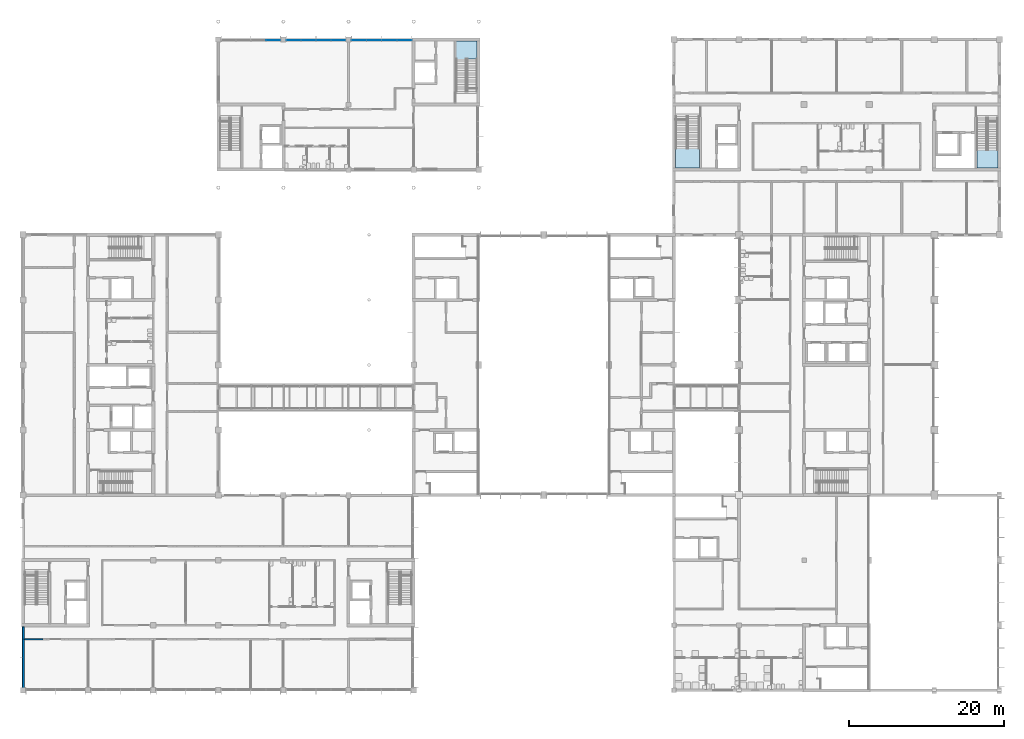
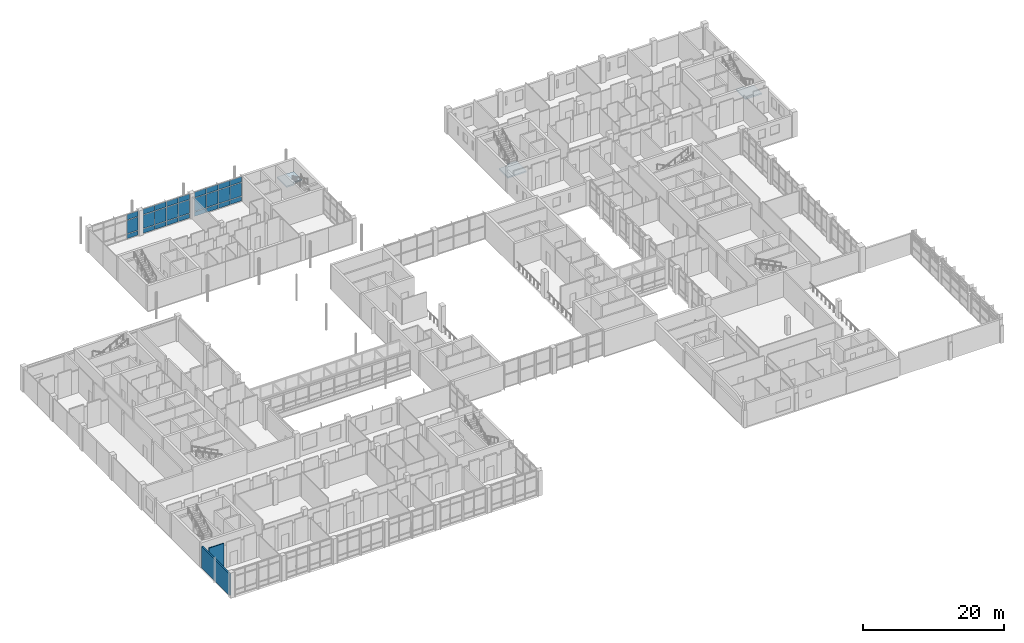
# One storey, part 30 of 70: 27 plates, 3 slabs, 2 walls, 6 elements without a shape of their own.
"""IFC4 building model written with IfcOpenShell, lengths in metres."""

import ifcopenshell
import ifcopenshell.guid

model = None  # the IFC model being written
_history = None  # IfcOwnerHistory: only IFC2X3 demands one
_inside = {}  # id of a spatial element -> (the spatial element, [elements in it])
_under = {}  # id of a project, library or spatial element -> (it, [spatial elements below it])
_declared = {}  # id of a project -> (the project, [libraries it declares])
_typed = {}  # id of a type object -> (the type object, [elements of that type])
_made_of = {}  # id of a material, layer set ... -> (it, [elements and type objects made of it])


def new_model(schema):
    """Start an empty IFC model of exactly this schema.

    Asked for "IFC4X3", IfcOpenShell would pick the latest addendum, in which some entities
    have other attributes; the version numbers below select the first issue.
    IFC2X3 requires an IfcOwnerHistory on every rooted entity: one is made here for all.
    """
    global model, _history
    if schema == "IFC4X3":
        model = ifcopenshell.file(schema_version=(4, 3, 0, 0))
    else:
        model = ifcopenshell.file(schema=schema)
    _inside.clear()
    _under.clear()
    _declared.clear()
    _typed.clear()
    _made_of.clear()
    _history = None
    if model.schema == "IFC2X3":
        org = make("IfcOrganization", Name="unknown")
        user = make(
            "IfcPersonAndOrganization",
            ThePerson=make("IfcPerson", FamilyName="unknown"),
            TheOrganization=org,
        )
        app = make(
            "IfcApplication",
            ApplicationDeveloper=org,
            Version="unknown",
            ApplicationFullName="unknown",
            ApplicationIdentifier="unknown",
        )
        _history = make(
            "IfcOwnerHistory",
            OwningUser=user,
            OwningApplication=app,
            ChangeAction="ADDED",
            CreationDate=0,
        )
    return model


def make(cls, **values):
    """One entity of the class cls with the attributes given. An attribute that is None is left unset."""
    return model.create_entity(
        cls, **{name: value for name, value in values.items() if value is not None}
    )


def rooted(cls, **values):
    """An entity with a GlobalId (a new one), such as an element, a storey or a relation."""
    return make(cls, GlobalId=ifcopenshell.guid.new(), OwnerHistory=_history, **values)


def si_unit(unit_type, name, prefix=None):
    """IfcSIUnit, for example si_unit("LENGTHUNIT", "METRE", prefix="MILLI")."""
    return make("IfcSIUnit", UnitType=unit_type, Prefix=prefix, Name=name)


def assignment(units):
    """IfcUnitAssignment: the units of a project."""
    return None if units is None else make("IfcUnitAssignment", Units=units)


def point(xyz):
    """IfcCartesianPoint."""
    return None if xyz is None else make("IfcCartesianPoint", Coordinates=xyz)


def direction(xyz):
    """IfcDirection."""
    return None if xyz is None else make("IfcDirection", DirectionRatios=xyz)


def frame(location, z_axis=None, x_axis=None):
    """IfcAxis2Placement3D, a coordinate frame: its origin and axes. An axis left out is left unset."""
    return make(
        "IfcAxis2Placement3D",
        Location=point(location),
        Axis=direction(z_axis),
        RefDirection=direction(x_axis),
    )


def frame_2d(location, x_axis=None):
    """IfcAxis2Placement2D, a coordinate frame in the plane: its origin and x axis."""
    return make(
        "IfcAxis2Placement2D", Location=point(location), RefDirection=direction(x_axis)
    )


def origin():
    """The frame at (0, 0, 0) with its axes left unset."""
    return frame((0.0, 0.0, 0.0))


def origin_2d():
    """The frame at (0, 0) in the plane with its x axis left unset."""
    return frame_2d((0.0, 0.0))


def place(relative_to, where):
    """IfcLocalPlacement: puts the frame where relative to a parent placement (None: the world)."""
    return make(
        "IfcLocalPlacement", PlacementRelTo=relative_to, RelativePlacement=where
    )


def context(
    kind, dimensions, precision=None, world=None, true_north=None, identifier=None
):
    """IfcGeometricRepresentationContext, for example the 3D "Model" context."""
    return make(
        "IfcGeometricRepresentationContext",
        ContextIdentifier=identifier,
        ContextType=kind,
        CoordinateSpaceDimension=dimensions,
        Precision=precision,
        WorldCoordinateSystem=world,
        TrueNorth=true_north,
    )


def subcontext(parent, identifier, kind, view, scale=None):
    """IfcGeometricRepresentationSubContext, for example "Body" below "Model"."""
    return make(
        "IfcGeometricRepresentationSubContext",
        ContextIdentifier=identifier,
        ContextType=kind,
        ParentContext=parent,
        TargetScale=scale,
        TargetView=view,
    )


def project(units=None, contexts=None):
    """IfcProject with its units and contexts."""
    return rooted(
        "IfcProject",
        Name="project",
        RepresentationContexts=contexts,
        UnitsInContext=assignment(units),
    )


def spatial(cls, under=None, at=None, **own):
    """A site, building, storey or space (cls), placed at a placement, below another one or the project."""
    s = rooted(cls, ObjectPlacement=at, **own)
    if under is not None:
        _under.setdefault(under.id(), (under, []))[1].append(s)
    return s


def polyline(points):
    """IfcPolyline through the points."""
    return make("IfcPolyline", Points=[point(p) for p in points])


def profile(cls, at=None, kind="AREA", **sizes):
    """A parametric profile (cls). Its sizes go by their IFC names, for example OverallWidth=200.0."""
    return make(cls, ProfileType=kind, Position=at, **sizes)


def rectangle(**sizes):
    """IfcRectangleProfileDef."""
    return profile("IfcRectangleProfileDef", **sizes)


def outline(outer, holes=None, kind="AREA"):
    """IfcArbitraryClosedProfileDef: a profile drawn as a closed curve; with holes, ...WithVoids."""
    if holes is None:
        return make("IfcArbitraryClosedProfileDef", ProfileType=kind, OuterCurve=outer)
    return make(
        "IfcArbitraryProfileDefWithVoids",
        ProfileType=kind,
        OuterCurve=outer,
        InnerCurves=holes,
    )


def extrude(swept, where, along, depth):
    """IfcExtrudedAreaSolid: the profile swept, set in the frame where, extruded along a direction by depth."""
    return make(
        "IfcExtrudedAreaSolid",
        SweptArea=swept,
        Position=where,
        ExtrudedDirection=direction(along),
        Depth=depth,
    )


def shape(context_of_items, identifier, shape_type, items):
    """IfcShapeRepresentation: the items that make up one representation, for example the "Body"."""
    return make(
        "IfcShapeRepresentation",
        ContextOfItems=context_of_items,
        RepresentationIdentifier=identifier,
        RepresentationType=shape_type,
        Items=items,
    )


def material(Name=None, Category=None):
    """IfcMaterial."""
    return make("IfcMaterial", Name=Name, Category=Category)


def layer(
    of_material, thickness, ventilated=None, Name=None, Category=None, Priority=None
):
    """IfcMaterialLayer: one layer of a wall or slab, of a material (None: an air gap)."""
    return make(
        "IfcMaterialLayer",
        Material=of_material,
        LayerThickness=thickness,
        IsVentilated=ventilated,
        Name=Name,
        Category=Category,
        Priority=Priority,
    )


def layer_set(layers, Name=None):
    """IfcMaterialLayerSet."""
    return make("IfcMaterialLayerSet", MaterialLayers=layers, LayerSetName=Name)


def made_of(thing, what):
    """Note that an element or type object is made of a material, layer set ...; save() writes the relation."""
    if what is not None:
        _made_of.setdefault(what.id(), (what, []))[1].append(thing)
    return thing


def type_object(cls, material=None, **own):
    """A type object (cls), such as IfcWallType, which elements share."""
    return made_of(rooted(cls, **own), material)


def element(
    cls,
    number,
    at=None,
    inside=None,
    cuts=None,
    type_object=None,
    material=None,
    context=None,
    identifier="Body",
    shape_type=None,
    held_by="IfcProductDefinitionShape",
    body=None,
    shapes=None,
    **own,
):
    """One element of the class cls, such as IfcWall. Its Tag is "e" and its number.

    at: its placement. inside: the storey or other place that contains it. cuts: it is an
    opening in that element (IfcRelVoidsElement). A single representation is given by context,
    identifier, shape_type and body (its items); several are given by shapes. held_by: the class
    of the entity that holds the representations. save() writes the other relations.
    """
    e = rooted(cls, Tag="e%d" % number, ObjectPlacement=at, **own)
    if body is not None:
        shapes = [shape(context, identifier, shape_type, body)]
    if shapes is not None:
        e.Representation = make(held_by, Representations=shapes)
    if inside is not None:
        _inside.setdefault(inside.id(), (inside, []))[1].append(e)
    if cuts is not None:
        rooted(
            "IfcRelVoidsElement", RelatingBuildingElement=cuts, RelatedOpeningElement=e
        )
    if type_object is not None:
        _typed.setdefault(type_object.id(), (type_object, []))[1].append(e)
    return made_of(e, material)


def aggregate(whole, parts):
    """IfcRelAggregates: a whole, such as a stair, and the parts it consists of."""
    return rooted("IfcRelAggregates", RelatingObject=whole, RelatedObjects=parts)


def save(model, path):
    """Write the relations noted so far, then the file.

    IfcRelAggregates (storeys below a building ...), IfcRelContainedInSpatialStructure (elements
    in a storey), IfcRelDefinesByType, IfcRelAssociatesMaterial and IfcRelDeclares: one each for
    every whole, place, type object, material and project.
    """
    for whole, parts in _under.values():
        aggregate(whole, parts)
    for where, things in _inside.values():
        rooted(
            "IfcRelContainedInSpatialStructure",
            RelatedElements=things,
            RelatingStructure=where,
        )
    for kind, things in _typed.values():
        rooted("IfcRelDefinesByType", RelatedObjects=things, RelatingType=kind)
    for what, things in _made_of.values():
        rooted("IfcRelAssociatesMaterial", RelatedObjects=things, RelatingMaterial=what)
    for by, libraries in _declared.values():
        rooted("IfcRelDeclares", RelatingContext=by, RelatedDefinitions=libraries)
    model.write(path)


model = new_model("IFC4")

# Units and contexts
model_context = context("Model", 3, precision=1e-05, world=origin(), true_north=direction((0.0, 1.0)))
body_context = subcontext(model_context, "Body", "Model", "MODEL_VIEW")
ifc_project = project(units=[si_unit("LENGTHUNIT", "METRE"), si_unit("AREAUNIT", "SQUARE_METRE"), si_unit("VOLUMEUNIT", "CUBIC_METRE"), si_unit("PLANEANGLEUNIT", "RADIAN"), si_unit("MASSUNIT", "GRAM", prefix="KILO")], contexts=[model_context])

# Site, building, storey
site_placement = place(None, origin())
site = spatial("IfcSite", under=ifc_project, at=site_placement, CompositionType="ELEMENT")
building_placement = place(site_placement, origin())
building = spatial("IfcBuilding", under=site, at=building_placement, Name="Hlaing Beacon Police Headquarters", CompositionType="ELEMENT")
storey_placement = place(building_placement, frame((0.0, 0.0, 5.39990234375)))
storey = spatial("IfcBuildingStorey", under=building, at=storey_placement, Name="L01", CompositionType="ELEMENT", Elevation=5.39990234375)

# Curtain wall, plates
ifc_material_1 = material(Name="Aluminium frame with solar control glazing", Category="aluminium")
curtain_wall_type_1 = type_object("IfcCurtainWallType", Name="Unitised curtain wall 7.85 x 4.37", PredefinedType="NOTDEFINED", material=ifc_material_1)
curtain_wall_1_placement = place(storey_placement, origin())
curtain_wall_1 = element("IfcCurtainWall", 1, at=curtain_wall_1_placement, inside=storey, type_object=curtain_wall_type_1, Name="ENV-CW-L01-N028", PredefinedType="NOTDEFINED")
ifc_material_2 = material(Name="Solar control glazing", Category="glass")
ifc_layer_1 = layer(ifc_material_2, 0.02392578125)
ifc_layer_set_1 = layer_set([ifc_layer_1], Name="Solar control glazing")
plate_type_1 = type_object("IfcPlateType", Name="Clear glazing panel 24", PredefinedType="CURTAIN_PANEL", material=ifc_layer_set_1)
plate_1_placement = place(storey_placement, frame((57.603759765625, 92.300048828125, 3.35009765625), z_axis=(0.0, 0.0, 1.0), x_axis=(-1.0, 0.0, 0.0)))
plate_1 = element("IfcPlate", 2, at=plate_1_placement, type_object=plate_type_1, Name="CW-L01-N028 panel 1.3", PredefinedType="CURTAIN_PANEL", context=body_context, shape_type="SweptSolid", body=[
    extrude(rectangle(XDim=1.87255859375, YDim=0.02392578125, at=origin_2d()), origin(), (0.0, 0.0, 1.0), 0.919921875),
])
plate_2_placement = place(storey_placement, frame((55.65625, 92.300048828125, 3.35009765625), z_axis=(0.0, 0.0, 1.0), x_axis=(-1.0, 0.0, 0.0)))
plate_2 = element("IfcPlate", 3, at=plate_2_placement, type_object=plate_type_1, Name="CW-L01-N028 panel 2.3", PredefinedType="CURTAIN_PANEL", context=body_context, shape_type="SweptSolid", body=[
    extrude(rectangle(XDim=1.902587890625, YDim=0.02392578125, at=origin_2d()), origin(), (0.0, 0.0, 1.0), 0.919921875),
])
plate_3_placement = place(storey_placement, frame((53.69384765625, 92.300048828125, 3.35009765625), z_axis=(0.0, 0.0, 1.0), x_axis=(-1.0, 0.0, 0.0)))
plate_3 = element("IfcPlate", 4, at=plate_3_placement, type_object=plate_type_1, Name="CW-L01-N028 panel 3.3", PredefinedType="CURTAIN_PANEL", context=body_context, shape_type="SweptSolid", body=[
    extrude(rectangle(XDim=1.902587890625, YDim=0.02392578125, at=origin_2d()), origin(), (0.0, 0.0, 1.0), 0.919921875),
])
plate_4_placement = place(storey_placement, frame((51.746337890625, 92.300048828125, 3.35009765625), z_axis=(0.0, 0.0, 1.0), x_axis=(-1.0, 0.0, 0.0)))
plate_4 = element("IfcPlate", 5, at=plate_4_placement, type_object=plate_type_1, Name="CW-L01-N028 panel 4.3", PredefinedType="CURTAIN_PANEL", context=body_context, shape_type="SweptSolid", body=[
    extrude(rectangle(XDim=1.87255859375, YDim=0.02392578125, at=origin_2d()), origin(), (0.0, 0.0, 1.0), 0.919921875),
])

ifc_material_3 = material(Name="Aluminium frame with solar control glazing", Category="aluminium")
curtain_wall_type_2 = type_object("IfcCurtainWallType", Name="Unitised curtain wall 7.70 x 4.37", PredefinedType="NOTDEFINED", material=ifc_material_3)
curtain_wall_2_placement = place(storey_placement, origin())
curtain_wall_2 = element("IfcCurtainWall", 6, at=curtain_wall_2_placement, inside=storey, type_object=curtain_wall_type_2, Name="ENV-CW-L01-N029", PredefinedType="NOTDEFINED")
plate_5_placement = place(storey_placement, frame((49.072509765625, 92.300048828125, 3.35009765625), z_axis=(0.0, 0.0, 1.0), x_axis=(-1.0, 0.0, 0.0)))
plate_5 = element("IfcPlate", 7, at=plate_5_placement, type_object=plate_type_1, Name="CW-L01-N029 panel 1.3", PredefinedType="CURTAIN_PANEL", context=body_context, shape_type="SweptSolid", body=[
    extrude(rectangle(XDim=1.8349609375, YDim=0.02392578125, at=origin_2d()), origin(), (0.0, 0.0, 1.0), 0.919921875),
])
plate_6_placement = place(storey_placement, frame((47.16259765625, 92.300048828125, 3.35009765625), z_axis=(0.0, 0.0, 1.0), x_axis=(-1.0, 0.0, 0.0)))
plate_6 = element("IfcPlate", 8, at=plate_6_placement, type_object=plate_type_1, Name="CW-L01-N029 panel 2.3", PredefinedType="CURTAIN_PANEL", context=body_context, shape_type="SweptSolid", body=[
    extrude(rectangle(XDim=1.864990234375, YDim=0.02392578125, at=origin_2d()), origin(), (0.0, 0.0, 1.0), 0.919921875),
])
plate_7_placement = place(storey_placement, frame((45.237548828125, 92.300048828125, 3.35009765625), z_axis=(0.0, 0.0, 1.0), x_axis=(-1.0, 0.0, 0.0)))
plate_7 = element("IfcPlate", 9, at=plate_7_placement, type_object=plate_type_1, Name="CW-L01-N029 panel 3.3", PredefinedType="CURTAIN_PANEL", context=body_context, shape_type="SweptSolid", body=[
    extrude(rectangle(XDim=1.864990234375, YDim=0.02392578125, at=origin_2d()), origin(), (0.0, 0.0, 1.0), 0.919921875),
])
plate_8_placement = place(storey_placement, frame((43.327392578125, 92.300048828125, 3.35009765625), z_axis=(0.0, 0.0, 1.0), x_axis=(-1.0, 0.0, 0.0)))
plate_8 = element("IfcPlate", 10, at=plate_8_placement, type_object=plate_type_1, Name="CW-L01-N029 panel 4.3", PredefinedType="CURTAIN_PANEL", context=body_context, shape_type="SweptSolid", body=[
    extrude(rectangle(XDim=1.8349609375, YDim=0.02392578125, at=origin_2d()), origin(), (0.0, 0.0, 1.0), 0.919921875),
])

# Curtain wall, plate
curtain_wall_3_placement = place(storey_placement, origin())
curtain_wall_3 = element("IfcCurtainWall", 11, at=curtain_wall_3_placement, inside=storey, type_object=curtain_wall_type_2, Name="ENV-CW-L01-N030", PredefinedType="NOTDEFINED")
plate_9_placement = place(storey_placement, frame((40.672607421875, 92.300048828125, 3.35009765625), z_axis=(0.0, 0.0, 1.0), x_axis=(-1.0, 0.0, 0.0)))
plate_9 = element("IfcPlate", 12, at=plate_9_placement, type_object=plate_type_1, Name="CW-L01-N030 panel 1.3", PredefinedType="CURTAIN_PANEL", context=body_context, shape_type="SweptSolid", body=[
    extrude(rectangle(XDim=1.8349609375, YDim=0.02392578125, at=origin_2d()), origin(), (0.0, 0.0, 1.0), 0.919921875),
])

# Plate
ifc_material_4 = material(Name="Solar control glazing", Category="glass")
ifc_layer_2 = layer(ifc_material_4, 0.0439453125)
ifc_layer_set_2 = layer_set([ifc_layer_2], Name="Solar control glazing")
plate_type_2 = type_object("IfcPlateType", Name="Clear glazing panel 44", PredefinedType="CURTAIN_PANEL", material=ifc_layer_set_2)
plate_10_placement = place(storey_placement, frame((57.603759765625, 92.300048828125, 0.9501953125), z_axis=(0.0, 0.0, 1.0), x_axis=(-1.0, 0.0, 0.0)))
plate_10 = element("IfcPlate", 13, at=plate_10_placement, type_object=plate_type_2, Name="CW-L01-N028 panel 1.2", PredefinedType="CURTAIN_PANEL", context=body_context, shape_type="SweptSolid", body=[
    extrude(rectangle(XDim=1.87255859375, YDim=0.0439453125, at=origin_2d()), origin(), (0.0, 0.0, 1.0), 2.300048828125),
])

plate_11_placement = place(storey_placement, frame((55.65625, 92.300048828125, 0.9501953125), z_axis=(0.0, 0.0, 1.0), x_axis=(-1.0, 0.0, 0.0)))
plate_11 = element("IfcPlate", 14, at=plate_11_placement, type_object=plate_type_2, Name="CW-L01-N028 panel 2.2", PredefinedType="CURTAIN_PANEL", context=body_context, shape_type="SweptSolid", body=[
    extrude(rectangle(XDim=1.902587890625, YDim=0.0439453125, at=origin_2d()), origin(), (0.0, 0.0, 1.0), 2.300048828125),
])

plate_12_placement = place(storey_placement, frame((53.69384765625, 92.300048828125, 0.9501953125), z_axis=(0.0, 0.0, 1.0), x_axis=(-1.0, 0.0, 0.0)))
plate_12 = element("IfcPlate", 15, at=plate_12_placement, type_object=plate_type_2, Name="CW-L01-N028 panel 3.2", PredefinedType="CURTAIN_PANEL", context=body_context, shape_type="SweptSolid", body=[
    extrude(rectangle(XDim=1.902587890625, YDim=0.0439453125, at=origin_2d()), origin(), (0.0, 0.0, 1.0), 2.300048828125),
])

plate_13_placement = place(storey_placement, frame((51.746337890625, 92.300048828125, 0.9501953125), z_axis=(0.0, 0.0, 1.0), x_axis=(-1.0, 0.0, 0.0)))
plate_13 = element("IfcPlate", 16, at=plate_13_placement, type_object=plate_type_2, Name="CW-L01-N028 panel 4.2", PredefinedType="CURTAIN_PANEL", context=body_context, shape_type="SweptSolid", body=[
    extrude(rectangle(XDim=1.87255859375, YDim=0.0439453125, at=origin_2d()), origin(), (0.0, 0.0, 1.0), 2.300048828125),
])

plate_14_placement = place(storey_placement, frame((49.072509765625, 92.300048828125, 0.9501953125), z_axis=(0.0, 0.0, 1.0), x_axis=(-1.0, 0.0, 0.0)))
plate_14 = element("IfcPlate", 17, at=plate_14_placement, type_object=plate_type_2, Name="CW-L01-N029 panel 1.2", PredefinedType="CURTAIN_PANEL", context=body_context, shape_type="SweptSolid", body=[
    extrude(rectangle(XDim=1.8349609375, YDim=0.0439453125, at=origin_2d()), origin(), (0.0, 0.0, 1.0), 2.300048828125),
])

plate_15_placement = place(storey_placement, frame((47.16259765625, 92.300048828125, 0.9501953125), z_axis=(0.0, 0.0, 1.0), x_axis=(-1.0, 0.0, 0.0)))
plate_15 = element("IfcPlate", 18, at=plate_15_placement, type_object=plate_type_2, Name="CW-L01-N029 panel 2.2", PredefinedType="CURTAIN_PANEL", context=body_context, shape_type="SweptSolid", body=[
    extrude(rectangle(XDim=1.864990234375, YDim=0.0439453125, at=origin_2d()), origin(), (0.0, 0.0, 1.0), 2.300048828125),
])

plate_16_placement = place(storey_placement, frame((45.237548828125, 92.300048828125, 0.9501953125), z_axis=(0.0, 0.0, 1.0), x_axis=(-1.0, 0.0, 0.0)))
plate_16 = element("IfcPlate", 19, at=plate_16_placement, type_object=plate_type_2, Name="CW-L01-N029 panel 3.2", PredefinedType="CURTAIN_PANEL", context=body_context, shape_type="SweptSolid", body=[
    extrude(rectangle(XDim=1.864990234375, YDim=0.0439453125, at=origin_2d()), origin(), (0.0, 0.0, 1.0), 2.300048828125),
])

plate_17_placement = place(storey_placement, frame((43.327392578125, 92.300048828125, 0.9501953125), z_axis=(0.0, 0.0, 1.0), x_axis=(-1.0, 0.0, 0.0)))
plate_17 = element("IfcPlate", 20, at=plate_17_placement, type_object=plate_type_2, Name="CW-L01-N029 panel 4.2", PredefinedType="CURTAIN_PANEL", context=body_context, shape_type="SweptSolid", body=[
    extrude(rectangle(XDim=1.8349609375, YDim=0.0439453125, at=origin_2d()), origin(), (0.0, 0.0, 1.0), 2.300048828125),
])

plate_18_placement = place(storey_placement, frame((40.672607421875, 92.300048828125, 0.9501953125), z_axis=(0.0, 0.0, 1.0), x_axis=(-1.0, 0.0, 0.0)))
plate_18 = element("IfcPlate", 21, at=plate_18_placement, type_object=plate_type_2, Name="CW-L01-N030 panel 1.2", PredefinedType="CURTAIN_PANEL", context=body_context, shape_type="SweptSolid", body=[
    extrude(rectangle(XDim=1.8349609375, YDim=0.0439453125, at=origin_2d()), origin(), (0.0, 0.0, 1.0), 2.300048828125),
])

ifc_material_5 = material(Name="Insulated aluminium spandrel", Category="aluminium")
ifc_layer_3 = layer(ifc_material_5, 0.0400390625)
ifc_layer_set_3 = layer_set([ifc_layer_3], Name="Insulated aluminium spandrel")
plate_type_3 = type_object("IfcPlateType", Name="Insulated spandrel panel 40", PredefinedType="CURTAIN_PANEL", material=ifc_layer_set_3)
plate_19_placement = place(storey_placement, frame((57.603759765625, 92.300048828125, 0.10009765625), z_axis=(0.0, 0.0, 1.0), x_axis=(-1.0, 0.0, 0.0)))
plate_19 = element("IfcPlate", 22, at=plate_19_placement, type_object=plate_type_3, Name="CW-L01-N028 panel 1.1", PredefinedType="CURTAIN_PANEL", context=body_context, shape_type="SweptSolid", body=[
    extrude(rectangle(XDim=1.87255859375, YDim=0.0400390625, at=origin_2d()), origin(), (0.0, 0.0, 1.0), 0.75),
])

plate_20_placement = place(storey_placement, frame((55.65625, 92.300048828125, 0.10009765625), z_axis=(0.0, 0.0, 1.0), x_axis=(-1.0, 0.0, 0.0)))
plate_20 = element("IfcPlate", 23, at=plate_20_placement, type_object=plate_type_3, Name="CW-L01-N028 panel 2.1", PredefinedType="CURTAIN_PANEL", context=body_context, shape_type="SweptSolid", body=[
    extrude(rectangle(XDim=1.902587890625, YDim=0.0400390625, at=origin_2d()), origin(), (0.0, 0.0, 1.0), 0.75),
])

plate_21_placement = place(storey_placement, frame((53.69384765625, 92.300048828125, 0.10009765625), z_axis=(0.0, 0.0, 1.0), x_axis=(-1.0, 0.0, 0.0)))
plate_21 = element("IfcPlate", 24, at=plate_21_placement, type_object=plate_type_3, Name="CW-L01-N028 panel 3.1", PredefinedType="CURTAIN_PANEL", context=body_context, shape_type="SweptSolid", body=[
    extrude(rectangle(XDim=1.902587890625, YDim=0.0400390625, at=origin_2d()), origin(), (0.0, 0.0, 1.0), 0.75),
])

plate_22_placement = place(storey_placement, frame((51.746337890625, 92.300048828125, 0.10009765625), z_axis=(0.0, 0.0, 1.0), x_axis=(-1.0, 0.0, 0.0)))
plate_22 = element("IfcPlate", 25, at=plate_22_placement, type_object=plate_type_3, Name="CW-L01-N028 panel 4.1", PredefinedType="CURTAIN_PANEL", context=body_context, shape_type="SweptSolid", body=[
    extrude(rectangle(XDim=1.87255859375, YDim=0.0400390625, at=origin_2d()), origin(), (0.0, 0.0, 1.0), 0.75),
])

aggregate(curtain_wall_1, [plate_19, plate_10, plate_1, plate_20, plate_11, plate_2, plate_21, plate_12, plate_3, plate_22, plate_13, plate_4])

plate_23_placement = place(storey_placement, frame((49.072509765625, 92.300048828125, 0.10009765625), z_axis=(0.0, 0.0, 1.0), x_axis=(-1.0, 0.0, 0.0)))
plate_23 = element("IfcPlate", 26, at=plate_23_placement, type_object=plate_type_3, Name="CW-L01-N029 panel 1.1", PredefinedType="CURTAIN_PANEL", context=body_context, shape_type="SweptSolid", body=[
    extrude(rectangle(XDim=1.8349609375, YDim=0.0400390625, at=origin_2d()), origin(), (0.0, 0.0, 1.0), 0.75),
])

plate_24_placement = place(storey_placement, frame((47.16259765625, 92.300048828125, 0.10009765625), z_axis=(0.0, 0.0, 1.0), x_axis=(-1.0, 0.0, 0.0)))
plate_24 = element("IfcPlate", 27, at=plate_24_placement, type_object=plate_type_3, Name="CW-L01-N029 panel 2.1", PredefinedType="CURTAIN_PANEL", context=body_context, shape_type="SweptSolid", body=[
    extrude(rectangle(XDim=1.864990234375, YDim=0.0400390625, at=origin_2d()), origin(), (0.0, 0.0, 1.0), 0.75),
])

plate_25_placement = place(storey_placement, frame((45.237548828125, 92.300048828125, 0.10009765625), z_axis=(0.0, 0.0, 1.0), x_axis=(-1.0, 0.0, 0.0)))
plate_25 = element("IfcPlate", 28, at=plate_25_placement, type_object=plate_type_3, Name="CW-L01-N029 panel 3.1", PredefinedType="CURTAIN_PANEL", context=body_context, shape_type="SweptSolid", body=[
    extrude(rectangle(XDim=1.864990234375, YDim=0.0400390625, at=origin_2d()), origin(), (0.0, 0.0, 1.0), 0.75),
])

plate_26_placement = place(storey_placement, frame((43.327392578125, 92.300048828125, 0.10009765625), z_axis=(0.0, 0.0, 1.0), x_axis=(-1.0, 0.0, 0.0)))
plate_26 = element("IfcPlate", 29, at=plate_26_placement, type_object=plate_type_3, Name="CW-L01-N029 panel 4.1", PredefinedType="CURTAIN_PANEL", context=body_context, shape_type="SweptSolid", body=[
    extrude(rectangle(XDim=1.8349609375, YDim=0.0400390625, at=origin_2d()), origin(), (0.0, 0.0, 1.0), 0.75),
])

aggregate(curtain_wall_2, [plate_23, plate_14, plate_5, plate_24, plate_15, plate_6, plate_25, plate_16, plate_7, plate_26, plate_17, plate_8])

plate_27_placement = place(storey_placement, frame((40.672607421875, 92.300048828125, 0.10009765625), z_axis=(0.0, 0.0, 1.0), x_axis=(-1.0, 0.0, 0.0)))
plate_27 = element("IfcPlate", 30, at=plate_27_placement, type_object=plate_type_3, Name="CW-L01-N030 panel 1.1", PredefinedType="CURTAIN_PANEL", context=body_context, shape_type="SweptSolid", body=[
    extrude(rectangle(XDim=1.8349609375, YDim=0.0400390625, at=origin_2d()), origin(), (0.0, 0.0, 1.0), 0.75),
])

aggregate(curtain_wall_3, [plate_27, plate_18, plate_9])

# Stair, slab
ifc_material_6 = material(Name="Concrete C40/50", Category="concrete")
stair_type_1 = type_object("IfcStairType", Name="Half-turn stair 1300 wide, 4500 rise", PredefinedType="HALF_TURN_STAIR", material=ifc_material_6)
stair_1_placement = place(storey_placement, origin())
stair_1 = element("IfcStair", 31, at=stair_1_placement, inside=storey, type_object=stair_type_1, Name="Stair ST-F", PredefinedType="HALF_TURN_STAIR")
ifc_material_7 = material(Name="Concrete C40/50", Category="concrete")
ifc_layer_4 = layer(ifc_material_7, 0.219970703125)
ifc_layer_set_4 = layer_set([ifc_layer_4], Name="Concrete C40/50")
slab_type = type_object("IfcSlabType", Name="Stair landing 220", PredefinedType="LANDING", material=ifc_layer_set_4)
slab_1_placement = place(storey_placement, frame((0.0, 0.0, 2.030029296875)))
slab_1 = element("IfcSlab", 32, at=slab_1_placement, type_object=slab_type, Name="ST-F landing 1", PredefinedType="LANDING", context=body_context, shape_type="SweptSolid", body=[
    extrude(outline(polyline([(67.0, 89.889892578125), (67.0, 92.199951171875), (64.300048828125, 92.199951171875), (64.300048828125, 89.5), (65.60009765625, 89.5), (65.60009765625, 89.889892578125), (67.0, 89.889892578125)])), origin(), (0.0, 0.0, 1.0), 0.219970703125),
])
aggregate(stair_1, [slab_1])

ifc_material_8 = material(Name="Concrete C40/50", Category="concrete")
stair_type_2 = type_object("IfcStairType", Name="Half-turn stair 1500 wide, 4500 rise", PredefinedType="HALF_TURN_STAIR", material=ifc_material_8)
stair_2_placement = place(storey_placement, origin())
stair_2 = element("IfcStair", 33, at=stair_2_placement, inside=storey, type_object=stair_type_2, Name="Stair ST-Q", PredefinedType="HALF_TURN_STAIR")
slab_2_placement = place(storey_placement, frame((0.0, 0.0, 2.030029296875)))
slab_2 = element("IfcSlab", 34, at=slab_2_placement, type_object=slab_type, Name="ST-Q landing 1", PredefinedType="LANDING", context=body_context, shape_type="SweptSolid", body=[
    extrude(outline(polyline([(92.60009765625, 78.31005859375), (92.60009765625, 75.800048828125), (95.699951171875, 75.800048828125), (95.699951171875, 78.699951171875), (94.199951171875, 78.699951171875), (94.199951171875, 78.31005859375), (92.60009765625, 78.31005859375)])), origin(), (0.0, 0.0, 1.0), 0.219970703125),
])
aggregate(stair_2, [slab_2])

stair_3_placement = place(storey_placement, origin())
stair_3 = element("IfcStair", 35, at=stair_3_placement, inside=storey, type_object=stair_type_1, Name="Stair ST-R", PredefinedType="HALF_TURN_STAIR")
slab_3_placement = place(storey_placement, frame((0.0, 0.0, 2.030029296875)))
slab_3 = element("IfcSlab", 36, at=slab_3_placement, type_object=slab_type, Name="ST-R landing 1", PredefinedType="LANDING", context=body_context, shape_type="SweptSolid", body=[
    extrude(outline(polyline([(134.199951171875, 78.110107421875), (134.199951171875, 75.800048828125), (131.5, 75.800048828125), (131.5, 78.5), (132.800048828125, 78.5), (132.800048828125, 78.110107421875), (134.199951171875, 78.110107421875)])), origin(), (0.0, 0.0, 1.0), 0.219970703125),
])
aggregate(stair_3, [slab_3])

# Walls
ifc_material_9 = material(Name="Gypsum board partition")
ifc_layer_5 = layer(ifc_material_9, 0.14990234375)
ifc_layer_set_5 = layer_set([ifc_layer_5], Name="Gypsum board partition")
wall_type_1 = type_object("IfcWallType", Name="Corridor wall EI 30 150", PredefinedType="PARTITIONING", material=ifc_layer_set_5)
wall_1_placement = place(storey_placement, frame((8.550048828125, 15.0, 0.0), z_axis=(0.0, 0.0, 1.0), x_axis=(1.0, 0.0, 0.0)))
element("IfcWall", 37, at=wall_1_placement, inside=storey, type_object=wall_type_1, Name="Corridor wall EI 30 150", PredefinedType="PARTITIONING", context=body_context, shape_type="SweptSolid", body=[
    extrude(rectangle(XDim=2.419921875, YDim=0.14990234375, at=frame_2d((1.2099609375, 0.0))), origin(), (0.0, 0.0, 1.0), 4.3701171875),
])
ifc_material_10 = material(Name="Concrete C40/50 precast ribbed cladding", Category="concrete")
ifc_layer_6 = layer(ifc_material_10, 0.25)
ifc_layer_set_6 = layer_set([ifc_layer_6], Name="Concrete C40/50 precast ribbed cladding")
wall_type_2 = type_object("IfcWallType", Name="Precast ribbed wall 250", PredefinedType="SOLIDWALL", material=ifc_layer_set_6)
wall_2_placement = place(storey_placement, frame((8.425048828125, 16.60009765625, 0.0), z_axis=(0.0, 0.0, 1.0), x_axis=(0.0, -1.0, 0.0)))
element("IfcWall", 38, at=wall_2_placement, inside=storey, type_object=wall_type_2, Name="External wall L01 W012", PredefinedType="SOLIDWALL", context=body_context, shape_type="SweptSolid", body=[
    extrude(rectangle(XDim=7.8701171875, YDim=0.25, at=frame_2d((3.93505859375, 0.0))), origin(), (0.0, 0.0, 1.0), 3.74609375),
])

save(model, "model.ifc")
